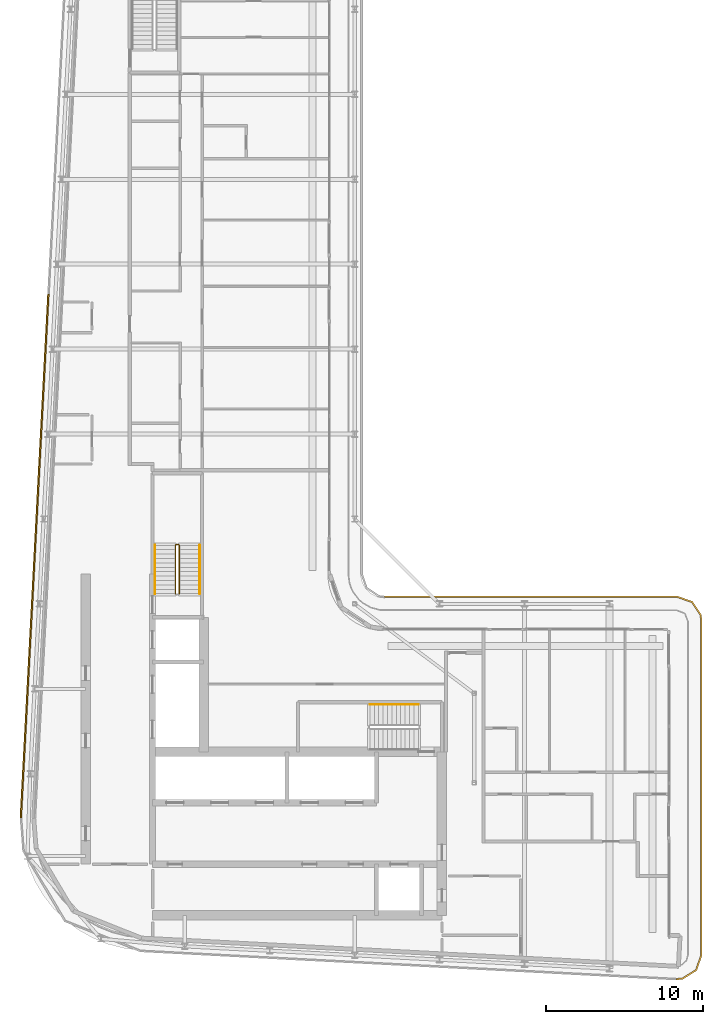
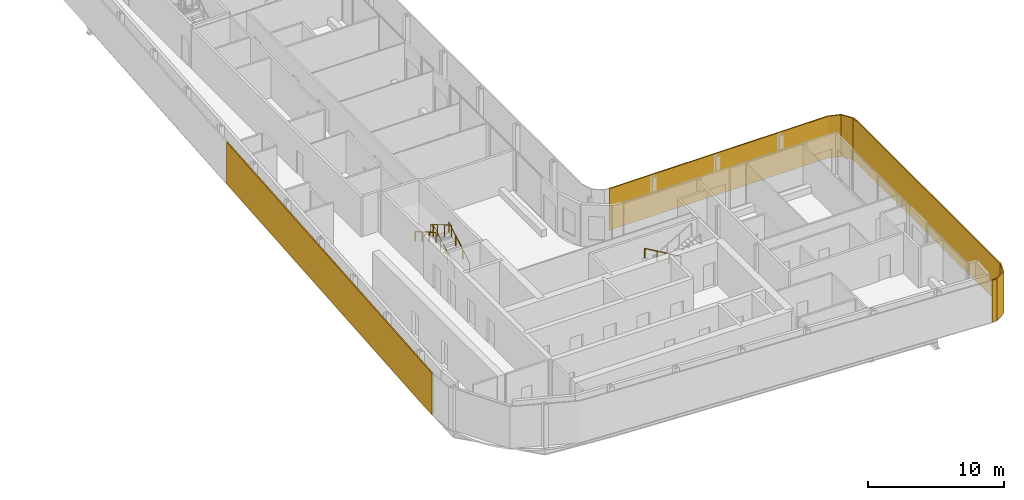
# One storey, part 18 of 21: 4 railings, 2 shading devices.
"""IFC4 building model written with IfcOpenShell, lengths in metres."""

import ifcopenshell
import ifcopenshell.guid

model = None  # the IFC model being written
_history = None  # IfcOwnerHistory: only IFC2X3 demands one
_inside = {}  # id of a spatial element -> (the spatial element, [elements in it])
_under = {}  # id of a project, library or spatial element -> (it, [spatial elements below it])
_declared = {}  # id of a project -> (the project, [libraries it declares])
_typed = {}  # id of a type object -> (the type object, [elements of that type])
_made_of = {}  # id of a material, layer set ... -> (it, [elements and type objects made of it])


def new_model(schema):
    """Start an empty IFC model of exactly this schema.

    Asked for "IFC4X3", IfcOpenShell would pick the latest addendum, in which some entities
    have other attributes; the version numbers below select the first issue.
    IFC2X3 requires an IfcOwnerHistory on every rooted entity: one is made here for all.
    """
    global model, _history
    if schema == "IFC4X3":
        model = ifcopenshell.file(schema_version=(4, 3, 0, 0))
    else:
        model = ifcopenshell.file(schema=schema)
    _inside.clear()
    _under.clear()
    _declared.clear()
    _typed.clear()
    _made_of.clear()
    _history = None
    if model.schema == "IFC2X3":
        org = make("IfcOrganization", Name="unknown")
        user = make(
            "IfcPersonAndOrganization",
            ThePerson=make("IfcPerson", FamilyName="unknown"),
            TheOrganization=org,
        )
        app = make(
            "IfcApplication",
            ApplicationDeveloper=org,
            Version="unknown",
            ApplicationFullName="unknown",
            ApplicationIdentifier="unknown",
        )
        _history = make(
            "IfcOwnerHistory",
            OwningUser=user,
            OwningApplication=app,
            ChangeAction="ADDED",
            CreationDate=0,
        )
    return model


def make(cls, **values):
    """One entity of the class cls with the attributes given. An attribute that is None is left unset."""
    return model.create_entity(
        cls, **{name: value for name, value in values.items() if value is not None}
    )


def rooted(cls, **values):
    """An entity with a GlobalId (a new one), such as an element, a storey or a relation."""
    return make(cls, GlobalId=ifcopenshell.guid.new(), OwnerHistory=_history, **values)


def si_unit(unit_type, name, prefix=None):
    """IfcSIUnit, for example si_unit("LENGTHUNIT", "METRE", prefix="MILLI")."""
    return make("IfcSIUnit", UnitType=unit_type, Prefix=prefix, Name=name)


def assignment(units):
    """IfcUnitAssignment: the units of a project."""
    return None if units is None else make("IfcUnitAssignment", Units=units)


def point(xyz):
    """IfcCartesianPoint."""
    return None if xyz is None else make("IfcCartesianPoint", Coordinates=xyz)


def direction(xyz):
    """IfcDirection."""
    return None if xyz is None else make("IfcDirection", DirectionRatios=xyz)


def frame(location, z_axis=None, x_axis=None):
    """IfcAxis2Placement3D, a coordinate frame: its origin and axes. An axis left out is left unset."""
    return make(
        "IfcAxis2Placement3D",
        Location=point(location),
        Axis=direction(z_axis),
        RefDirection=direction(x_axis),
    )


def frame_2d(location, x_axis=None):
    """IfcAxis2Placement2D, a coordinate frame in the plane: its origin and x axis."""
    return make(
        "IfcAxis2Placement2D", Location=point(location), RefDirection=direction(x_axis)
    )


def origin():
    """The frame at (0, 0, 0) with its axes left unset."""
    return frame((0.0, 0.0, 0.0))


def origin_2d():
    """The frame at (0, 0) in the plane with its x axis left unset."""
    return frame_2d((0.0, 0.0))


def place(relative_to, where):
    """IfcLocalPlacement: puts the frame where relative to a parent placement (None: the world)."""
    return make(
        "IfcLocalPlacement", PlacementRelTo=relative_to, RelativePlacement=where
    )


def context(
    kind, dimensions, precision=None, world=None, true_north=None, identifier=None
):
    """IfcGeometricRepresentationContext, for example the 3D "Model" context."""
    return make(
        "IfcGeometricRepresentationContext",
        ContextIdentifier=identifier,
        ContextType=kind,
        CoordinateSpaceDimension=dimensions,
        Precision=precision,
        WorldCoordinateSystem=world,
        TrueNorth=true_north,
    )


def subcontext(parent, identifier, kind, view, scale=None):
    """IfcGeometricRepresentationSubContext, for example "Body" below "Model"."""
    return make(
        "IfcGeometricRepresentationSubContext",
        ContextIdentifier=identifier,
        ContextType=kind,
        ParentContext=parent,
        TargetScale=scale,
        TargetView=view,
    )


def project(units=None, contexts=None):
    """IfcProject with its units and contexts."""
    return rooted(
        "IfcProject",
        Name="project",
        RepresentationContexts=contexts,
        UnitsInContext=assignment(units),
    )


def spatial(cls, under=None, at=None, **own):
    """A site, building, storey or space (cls), placed at a placement, below another one or the project."""
    s = rooted(cls, ObjectPlacement=at, **own)
    if under is not None:
        _under.setdefault(under.id(), (under, []))[1].append(s)
    return s


def polyline(points):
    """IfcPolyline through the points."""
    return make("IfcPolyline", Points=[point(p) for p in points])


def profile(cls, at=None, kind="AREA", **sizes):
    """A parametric profile (cls). Its sizes go by their IFC names, for example OverallWidth=200.0."""
    return make(cls, ProfileType=kind, Position=at, **sizes)


def rectangle(**sizes):
    """IfcRectangleProfileDef."""
    return profile("IfcRectangleProfileDef", **sizes)


def circle(**sizes):
    """IfcCircleProfileDef."""
    return profile("IfcCircleProfileDef", **sizes)


def outline(outer, holes=None, kind="AREA"):
    """IfcArbitraryClosedProfileDef: a profile drawn as a closed curve; with holes, ...WithVoids."""
    if holes is None:
        return make("IfcArbitraryClosedProfileDef", ProfileType=kind, OuterCurve=outer)
    return make(
        "IfcArbitraryProfileDefWithVoids",
        ProfileType=kind,
        OuterCurve=outer,
        InnerCurves=holes,
    )


def extrude(swept, where, along, depth):
    """IfcExtrudedAreaSolid: the profile swept, set in the frame where, extruded along a direction by depth."""
    return make(
        "IfcExtrudedAreaSolid",
        SweptArea=swept,
        Position=where,
        ExtrudedDirection=direction(along),
        Depth=depth,
    )


def shape(context_of_items, identifier, shape_type, items):
    """IfcShapeRepresentation: the items that make up one representation, for example the "Body"."""
    return make(
        "IfcShapeRepresentation",
        ContextOfItems=context_of_items,
        RepresentationIdentifier=identifier,
        RepresentationType=shape_type,
        Items=items,
    )


def material(Name=None, Category=None):
    """IfcMaterial."""
    return make("IfcMaterial", Name=Name, Category=Category)


def layer(
    of_material, thickness, ventilated=None, Name=None, Category=None, Priority=None
):
    """IfcMaterialLayer: one layer of a wall or slab, of a material (None: an air gap)."""
    return make(
        "IfcMaterialLayer",
        Material=of_material,
        LayerThickness=thickness,
        IsVentilated=ventilated,
        Name=Name,
        Category=Category,
        Priority=Priority,
    )


def layer_set(layers, Name=None):
    """IfcMaterialLayerSet."""
    return make("IfcMaterialLayerSet", MaterialLayers=layers, LayerSetName=Name)


def made_of(thing, what):
    """Note that an element or type object is made of a material, layer set ...; save() writes the relation."""
    if what is not None:
        _made_of.setdefault(what.id(), (what, []))[1].append(thing)
    return thing


def type_object(cls, material=None, **own):
    """A type object (cls), such as IfcWallType, which elements share."""
    return made_of(rooted(cls, **own), material)


def element(
    cls,
    number,
    at=None,
    inside=None,
    cuts=None,
    type_object=None,
    material=None,
    context=None,
    identifier="Body",
    shape_type=None,
    held_by="IfcProductDefinitionShape",
    body=None,
    shapes=None,
    **own,
):
    """One element of the class cls, such as IfcWall. Its Tag is "e" and its number.

    at: its placement. inside: the storey or other place that contains it. cuts: it is an
    opening in that element (IfcRelVoidsElement). A single representation is given by context,
    identifier, shape_type and body (its items); several are given by shapes. held_by: the class
    of the entity that holds the representations. save() writes the other relations.
    """
    e = rooted(cls, Tag="e%d" % number, ObjectPlacement=at, **own)
    if body is not None:
        shapes = [shape(context, identifier, shape_type, body)]
    if shapes is not None:
        e.Representation = make(held_by, Representations=shapes)
    if inside is not None:
        _inside.setdefault(inside.id(), (inside, []))[1].append(e)
    if cuts is not None:
        rooted(
            "IfcRelVoidsElement", RelatingBuildingElement=cuts, RelatedOpeningElement=e
        )
    if type_object is not None:
        _typed.setdefault(type_object.id(), (type_object, []))[1].append(e)
    return made_of(e, material)


def aggregate(whole, parts):
    """IfcRelAggregates: a whole, such as a stair, and the parts it consists of."""
    return rooted("IfcRelAggregates", RelatingObject=whole, RelatedObjects=parts)


def save(model, path):
    """Write the relations noted so far, then the file.

    IfcRelAggregates (storeys below a building ...), IfcRelContainedInSpatialStructure (elements
    in a storey), IfcRelDefinesByType, IfcRelAssociatesMaterial and IfcRelDeclares: one each for
    every whole, place, type object, material and project.
    """
    for whole, parts in _under.values():
        aggregate(whole, parts)
    for where, things in _inside.values():
        rooted(
            "IfcRelContainedInSpatialStructure",
            RelatedElements=things,
            RelatingStructure=where,
        )
    for kind, things in _typed.values():
        rooted("IfcRelDefinesByType", RelatedObjects=things, RelatingType=kind)
    for what, things in _made_of.values():
        rooted("IfcRelAssociatesMaterial", RelatedObjects=things, RelatingMaterial=what)
    for by, libraries in _declared.values():
        rooted("IfcRelDeclares", RelatingContext=by, RelatedDefinitions=libraries)
    model.write(path)


model = new_model("IFC4")

# Units and contexts
model_context = context("Model", 3, precision=1e-05, world=origin(), true_north=direction((0.0, 1.0)))
body_context = subcontext(model_context, "Body", "Model", "MODEL_VIEW")
ifc_project = project(units=[si_unit("LENGTHUNIT", "METRE"), si_unit("AREAUNIT", "SQUARE_METRE"), si_unit("VOLUMEUNIT", "CUBIC_METRE"), si_unit("PLANEANGLEUNIT", "RADIAN"), si_unit("MASSUNIT", "GRAM", prefix="KILO")], contexts=[model_context])

# Site, building, storey
site_placement = place(None, origin())
site = spatial("IfcSite", under=ifc_project, at=site_placement, CompositionType="ELEMENT")
building_placement = place(site_placement, origin())
building = spatial("IfcBuilding", under=site, at=building_placement, Name="Kheshtan School and Residences Tower", CompositionType="ELEMENT")
storey_placement = place(building_placement, frame((0.0, 0.0, 317.60009765625)))
storey = spatial("IfcBuildingStorey", under=building, at=storey_placement, Name="L75", CompositionType="ELEMENT", Elevation=317.60009765625)

# Shading devices
ifc_material_1 = material(Name="Terracotta baguette, extruded ceramic", Category="masonry")
ifc_layer_1 = layer(ifc_material_1, 0.10009765625)
ifc_layer_set_1 = layer_set([ifc_layer_1], Name="Ledge screen, terracotta baguettes")
shading_device_type_1 = type_object("IfcShadingDeviceType", Name="Ledge screen, terracotta baguettes", PredefinedType="USERDEFINED", material=ifc_layer_set_1)
shading_device_1_placement = place(storey_placement, frame((27.24609375, 48.638916015625, 0.0), z_axis=(0.0, 0.0, 1.0), x_axis=(0.052562536748, 0.998617634398, 0.0)))
element("IfcShadingDevice", 1, at=shading_device_1_placement, inside=storey, type_object=shading_device_type_1, Name="Screen L75 4", ObjectType="BAGUETTE", PredefinedType="USERDEFINED", context=body_context, shape_type="SweptSolid", body=[
    extrude(rectangle(XDim=33.341064453125, YDim=0.10009765625, at=origin_2d()), origin(), (0.0, 0.0, 1.0), 3.75),
])
ifc_material_2 = material(Name="Terracotta lattice, extruded ceramic", Category="masonry")
ifc_layer_2 = layer(ifc_material_2, 0.10009765625)
ifc_layer_set_2 = layer_set([ifc_layer_2], Name="Loggia screen, terracotta lattice")
shading_device_type_2 = type_object("IfcShadingDeviceType", Name="Loggia screen, terracotta lattice", PredefinedType="USERDEFINED", material=ifc_layer_set_2)
shading_device_2_placement = place(storey_placement, origin())
element("IfcShadingDevice", 2, at=shading_device_2_placement, inside=storey, type_object=shading_device_type_2, Name="Screen L75 2", ObjectType="SCREEN", PredefinedType="USERDEFINED", context=body_context, shape_type="SweptSolid", body=[
    extrude(outline(polyline([(49.5, 46.0), (68.10009765625, 46.0), (69.012939453125, 45.68994140625), (69.549072265625, 44.887939453125), (69.60009765625, 44.5), (69.60009765625, 23.285888671875), (69.27001953125, 22.346923828125), (68.424072265625, 21.822021484375), (68.02099609375, 21.7880859375), (68.029052734375, 21.68798828125), (68.4560546875, 21.72412109375), (69.35302734375, 22.281005859375), (69.699951171875, 23.26904296875), (69.699951171875, 44.507080078125), (69.64501953125, 44.924072265625), (69.076904296875, 45.77392578125), (68.116943359375, 46.10009765625), (49.5, 46.10009765625), (49.5, 46.0)])), origin(), (0.0, 0.0, 1.0), 3.75),
])

# Railings
ifc_material_3 = material(Name="Stainless steel balustrade", Category="steel")
railing_type_1 = type_object("IfcRailingType", Name="Stair guard 1100", PredefinedType="GUARDRAIL", material=ifc_material_3)
railing_1_placement = place(storey_placement, frame((36.449951171875, 46.25, 0.162353515625)))
element("IfcRailing", 3, at=railing_1_placement, inside=storey, type_object=railing_type_1, Name="L75 ST2 stair guard 1", PredefinedType="GUARDRAIL", context=body_context, shape_type="SweptSolid", body=[
    extrude(circle(Radius=0.02392578125, at=origin_2d()), frame((0.0, 0.0, 1.076171875), z_axis=(0.0, 0.864890721111, 0.501960198159), x_axis=(-1.0, 0.0, 0.0)), (0.0, 0.0, 1.0), 3.561279296875),
    extrude(circle(Radius=0.02392578125, at=origin_2d()), frame((0.0, 3.080078125, 2.86376953125), z_axis=(-0.708833529934, 0.705375805398, 0.0), x_axis=(-0.705375805398, -0.708833529934, 0.0)), (0.0, 0.0, 1.0), 0.070556640625),
    extrude(circle(Radius=0.02392578125, at=origin_2d()), frame((-0.050048828125, 3.1298828125, 2.86376953125), z_axis=(-1.0, 0.0, 0.0), x_axis=(0.0, -1.0, 0.0)), (0.0, 0.0, 1.0), 0.14990234375),
    extrude(circle(Radius=0.02392578125, at=origin_2d()), frame((-0.199951171875, 3.1298828125, 2.86376953125), z_axis=(-0.282693820306, -0.281314826061, 0.917031173188), x_axis=(0.705375805398, -0.708833529934, 0.0)), (0.0, 0.0, 1.0), 0.177001953125),
    extrude(circle(Radius=0.02392578125, at=origin_2d()), frame((-0.25, 3.080078125, 3.02587890625), z_axis=(0.0, -0.864890721111, 0.501960198159), x_axis=(1.0, 0.0, 0.0)), (0.0, 0.0, 1.0), 3.561279296875),
    extrude(circle(Radius=0.02099609375, at=origin_2d()), origin(), (0.0, 0.0, 1.0), 1.052001953125),
    extrude(circle(Radius=0.02099609375, at=origin_2d()), frame((0.0, 1.026611328125, 0.595947265625)), (0.0, 0.0, 1.0), 1.052001953125),
    extrude(circle(Radius=0.02099609375, at=origin_2d()), frame((0.0, 2.053466796875, 1.191650390625)), (0.0, 0.0, 1.0), 1.052001953125),
    extrude(circle(Radius=0.02099609375, at=origin_2d()), frame((0.0, 3.080078125, 1.78759765625)), (0.0, 0.0, 1.0), 1.052001953125),
    extrude(circle(Radius=0.02099609375, at=origin_2d()), frame((-0.050048828125, 3.1298828125, 1.78759765625)), (0.0, 0.0, 1.0), 1.052001953125),
    extrude(circle(Radius=0.02099609375, at=origin_2d()), frame((-0.199951171875, 3.1298828125, 1.78759765625)), (0.0, 0.0, 1.0), 1.052001953125),
    extrude(circle(Radius=0.02099609375, at=origin_2d()), frame((-0.25, 3.080078125, 1.949951171875)), (0.0, 0.0, 1.0), 1.052001953125),
    extrude(circle(Radius=0.02099609375, at=origin_2d()), frame((-0.25, 2.053466796875, 2.5458984375)), (0.0, 0.0, 1.0), 1.052001953125),
    extrude(circle(Radius=0.02099609375, at=origin_2d()), frame((-0.25, 1.026611328125, 3.1416015625)), (0.0, 0.0, 1.0), 1.052001953125),
    extrude(circle(Radius=0.02099609375, at=origin_2d()), frame((-0.25, 0.0, 3.737548828125)), (0.0, 0.0, 1.0), 1.052001953125),
])
ifc_material_4 = material(Name="Stainless steel handrail", Category="steel")
railing_type_2 = type_object("IfcRailingType", Name="Stair handrail 900", PredefinedType="HANDRAIL", material=ifc_material_4)
railing_2_placement = place(storey_placement, frame((51.64990234375, 39.199951171875, 0.162353515625)))
element("IfcRailing", 4, at=railing_2_placement, inside=storey, type_object=railing_type_2, Name="L75 ST1 stair handrail 1", PredefinedType="HANDRAIL", context=body_context, shape_type="SweptSolid", body=[
    extrude(circle(Radius=0.02392578125, at=origin_2d()), frame((0.0, 0.0, 0.8759765625), z_axis=(-0.864873446163, 0.0, 0.501989962173), x_axis=(0.0, -1.0, 0.0)), (0.0, 0.0, 1.0), 3.56103515625),
    extrude(circle(Radius=0.02099609375, at=origin_2d()), origin(), (0.0, 0.0, 1.0), 0.851806640625),
    extrude(circle(Radius=0.02099609375, at=origin_2d()), frame((-1.026611328125, 0.0, 0.595947265625)), (0.0, 0.0, 1.0), 0.851806640625),
    extrude(circle(Radius=0.02099609375, at=origin_2d()), frame((-2.05322265625, 0.0, 1.191650390625)), (0.0, 0.0, 1.0), 0.851806640625),
    extrude(circle(Radius=0.02099609375, at=origin_2d()), frame((-3.079833984375, 0.0, 1.78759765625)), (0.0, 0.0, 1.0), 0.851806640625),
])
railing_3_placement = place(storey_placement, frame((37.75, 46.25, 0.162353515625)))
element("IfcRailing", 5, at=railing_3_placement, inside=storey, type_object=railing_type_2, Name="L75 ST2 stair handrail 1", PredefinedType="HANDRAIL", context=body_context, shape_type="SweptSolid", body=[
    extrude(circle(Radius=0.02392578125, at=origin_2d()), frame((0.0, 0.0, 0.8759765625), z_axis=(0.0, 0.864890721111, 0.501960198159), x_axis=(-1.0, 0.0, 0.0)), (0.0, 0.0, 1.0), 3.561279296875),
    extrude(circle(Radius=0.02099609375, at=origin_2d()), origin(), (0.0, 0.0, 1.0), 0.851806640625),
    extrude(circle(Radius=0.02099609375, at=origin_2d()), frame((0.0, 1.026611328125, 0.595947265625)), (0.0, 0.0, 1.0), 0.851806640625),
    extrude(circle(Radius=0.02099609375, at=origin_2d()), frame((0.0, 2.053466796875, 1.191650390625)), (0.0, 0.0, 1.0), 0.851806640625),
    extrude(circle(Radius=0.02099609375, at=origin_2d()), frame((0.0, 3.080078125, 1.78759765625)), (0.0, 0.0, 1.0), 0.851806640625),
])
railing_4_placement = place(storey_placement, frame((34.89990234375, 49.330078125, 2.1123046875)))
element("IfcRailing", 6, at=railing_4_placement, inside=storey, type_object=railing_type_2, Name="L75 ST2 stair handrail 2", PredefinedType="HANDRAIL", context=body_context, shape_type="SweptSolid", body=[
    extrude(circle(Radius=0.02392578125, at=origin_2d()), frame((0.0, 0.0, 0.8759765625), z_axis=(0.0, -0.864890721111, 0.501960198159), x_axis=(1.0, 0.0, 0.0)), (0.0, 0.0, 1.0), 3.561279296875),
    extrude(circle(Radius=0.02099609375, at=origin_2d()), origin(), (0.0, 0.0, 1.0), 0.851806640625),
    extrude(circle(Radius=0.02099609375, at=origin_2d()), frame((0.0, -1.026611328125, 0.595947265625)), (0.0, 0.0, 1.0), 0.851806640625),
    extrude(circle(Radius=0.02099609375, at=origin_2d()), frame((0.0, -2.053466796875, 1.191650390625)), (0.0, 0.0, 1.0), 0.851806640625),
    extrude(circle(Radius=0.02099609375, at=origin_2d()), frame((0.0, -3.080078125, 1.78759765625)), (0.0, 0.0, 1.0), 0.851806640625),
])

save(model, "model.ifc")
